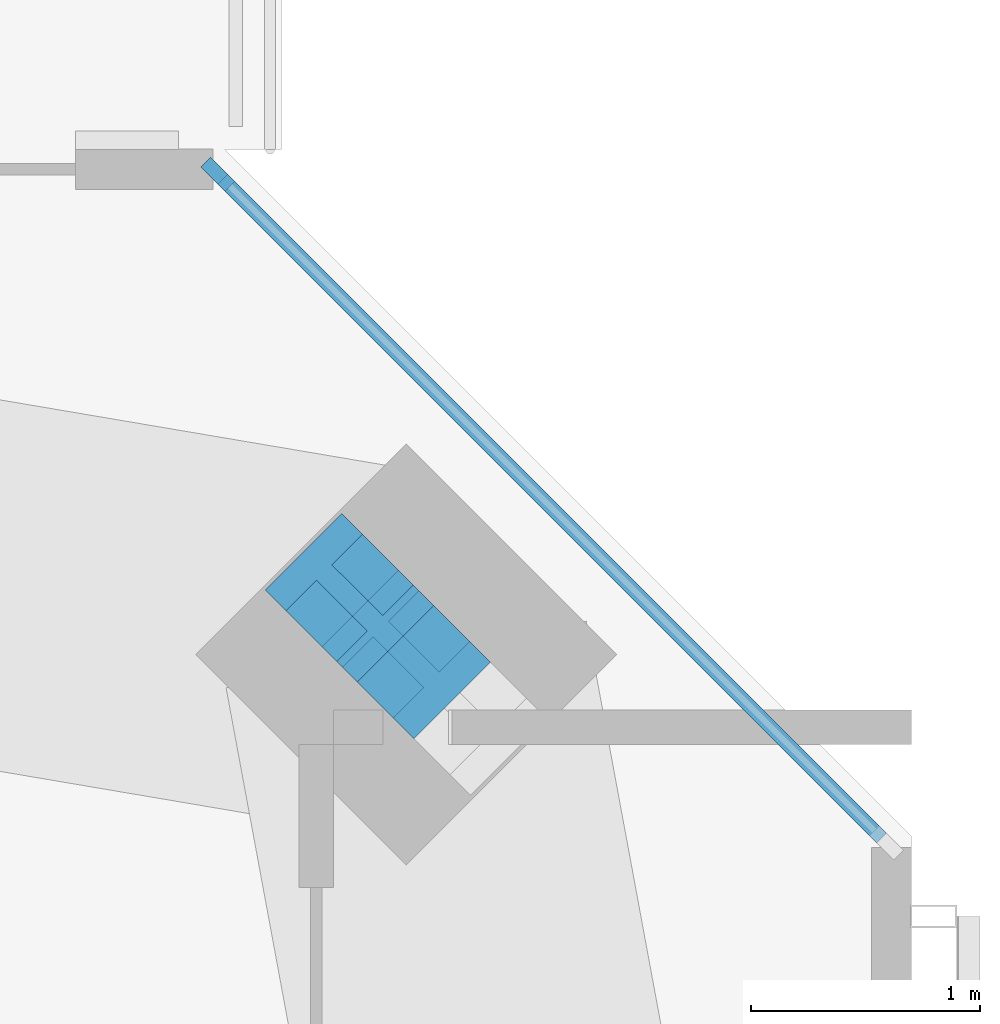
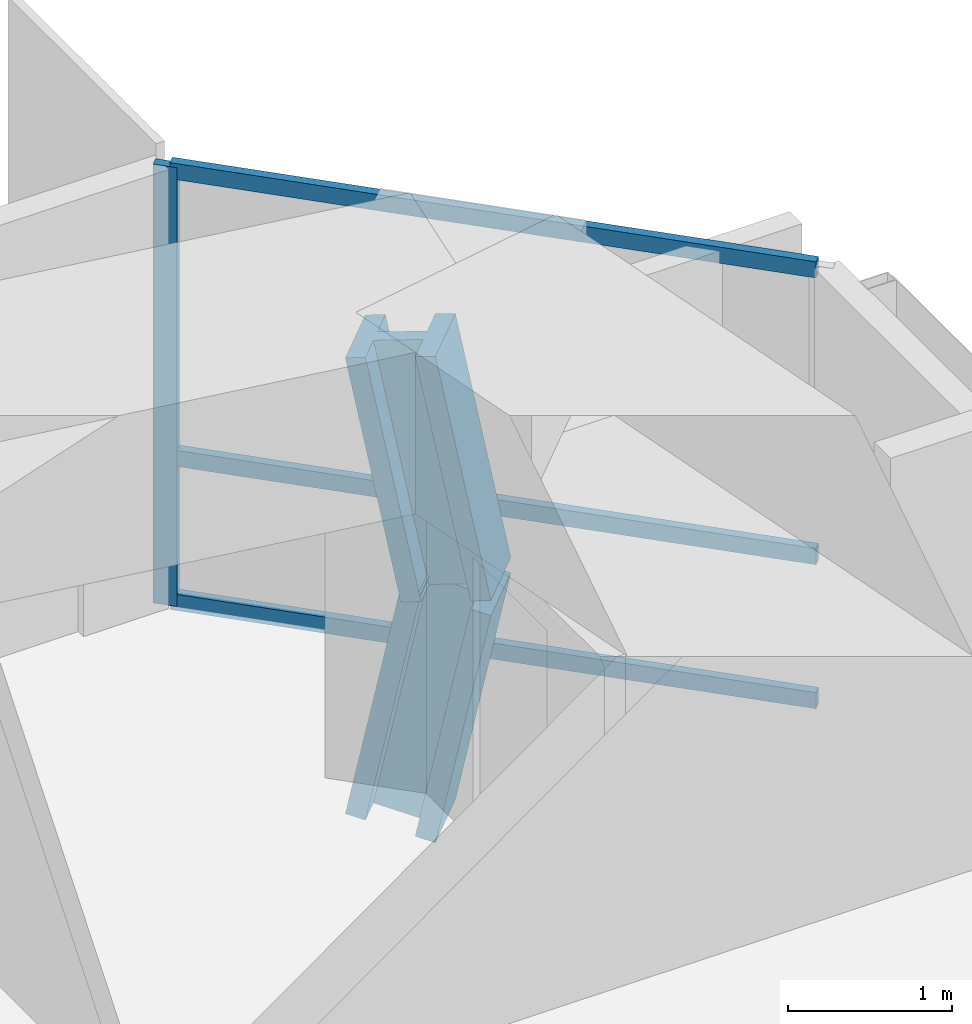
# One storey, part 12 of 20: 6 members, 1 element without a shape of its own.
"""IFC4 building model written with IfcOpenShell, lengths in metres."""

from ifc_helpers import new_model, si_unit, direction, frame, origin, origin_2d, place, context, subcontext, project, spatial, rectangle, i_section, extrude, material, material_profile, profile_set, type_object, element, aggregate, save


model = new_model("IFC4")

# Units and contexts
model_context = context("Model", 3, precision=1e-05, world=origin(), true_north=direction((0.0, 1.0)))
body_context = subcontext(model_context, "Body", "Model", "MODEL_VIEW")
ifc_project = project(units=[si_unit("LENGTHUNIT", "METRE"), si_unit("AREAUNIT", "SQUARE_METRE"), si_unit("VOLUMEUNIT", "CUBIC_METRE"), si_unit("PLANEANGLEUNIT", "RADIAN"), si_unit("MASSUNIT", "GRAM", prefix="KILO")], contexts=[model_context])

# Site, building, storey
site_placement = place(None, origin())
site = spatial("IfcSite", under=ifc_project, at=site_placement, CompositionType="ELEMENT")
building_placement = place(site_placement, origin())
building = spatial("IfcBuilding", under=site, at=building_placement, Name="Jalousie Tower", CompositionType="ELEMENT")
storey_placement = place(building_placement, frame((0.0, 0.0, 245.949951171875)))
storey = spatial("IfcBuildingStorey", under=building, at=storey_placement, Name="L67", CompositionType="ELEMENT", Elevation=245.949951171875)

# Curtain wall, members
ifc_material_1 = material(Name="Aluminium curtain wall", Category="aluminium")
curtain_wall_type = type_object("IfcCurtainWallType", Name="CORNER WINDOW WALL", PredefinedType="USERDEFINED", material=ifc_material_1)
curtain_wall_placement = place(storey_placement, origin())
curtain_wall = element("IfcCurtainWall", 1, at=curtain_wall_placement, inside=storey, type_object=curtain_wall_type, Name="Corner Window Wall L67 4", ObjectType="CORNER WINDOW WALL", PredefinedType="USERDEFINED")
ifc_material_2 = material(Name="Aluminium mullion", Category="aluminium")
ifc_material_profile_1 = material_profile(ifc_material_2, rectangle(XDim=0.06005859375, YDim=0.14990234375, at=origin_2d()), Name="MULLION 60x150")
ifc_profile_set_1 = profile_set([ifc_material_profile_1], Name="Aluminium mullion")
member_type_1 = type_object("IfcMemberType", Name="CORNER WINDOW WALL MULLION", PredefinedType="MULLION", material=ifc_profile_set_1)
member_1_placement = place(storey_placement, frame((53.469970703125, 33.891357421875, 0.0), z_axis=(0.0, 0.0, 1.0), x_axis=(-0.707106781187, -0.707106781187, 0.0)))
member_1 = element("IfcMember", 2, at=member_1_placement, type_object=member_type_1, Name="CW-C mullion 2", PredefinedType="MULLION", context=body_context, shape_type="SweptSolid", body=[
    extrude(rectangle(XDim=0.06005859375, YDim=0.14990234375, at=origin_2d()), origin(), (0.0, 0.0, 1.0), 3.260009765625),
])
ifc_material_3 = material(Name="Aluminium transom", Category="aluminium")
ifc_material_profile_2 = material_profile(ifc_material_3, rectangle(XDim=0.06005859375, YDim=0.1201171875, at=origin_2d()), Name="TRANSOM 60x120")
ifc_profile_set_2 = profile_set([ifc_material_profile_2], Name="Aluminium transom")
member_type_2 = type_object("IfcMemberType", Name="CORNER WINDOW WALL TRANSOM", PredefinedType="USERDEFINED", material=ifc_profile_set_2)
member_2_placement = place(storey_placement, frame((56.3701171875, 30.9912109375, 0.030029296875), z_axis=(-0.707106781187, 0.707106781187, 0.0), x_axis=(-0.707106781187, -0.707106781187, 0.0)))
member_2 = element("IfcMember", 3, at=member_2_placement, type_object=member_type_2, Name="CW-C transom 1.1", ObjectType="TRANSOM", PredefinedType="USERDEFINED", context=body_context, shape_type="SweptSolid", body=[
    extrude(rectangle(XDim=0.06005859375, YDim=0.1201171875, at=origin_2d()), origin(), (0.0, 0.0, 1.0), 4.0712890625),
])
member_3_placement = place(storey_placement, frame((56.3701171875, 30.9912109375, 1.10009765625), z_axis=(-0.707106781187, 0.707106781187, 0.0), x_axis=(-0.707106781187, -0.707106781187, 0.0)))
member_3 = element("IfcMember", 4, at=member_3_placement, type_object=member_type_2, Name="CW-C transom 1.2", ObjectType="TRANSOM", PredefinedType="USERDEFINED", context=body_context, shape_type="SweptSolid", body=[
    extrude(rectangle(XDim=0.06005859375, YDim=0.1201171875, at=origin_2d()), origin(), (0.0, 0.0, 1.0), 4.0712890625),
])
member_4_placement = place(storey_placement, frame((56.3701171875, 30.9912109375, 3.22998046875), z_axis=(-0.707106781187, 0.707106781187, 0.0), x_axis=(-0.707106781187, -0.707106781187, 0.0)))
member_4 = element("IfcMember", 5, at=member_4_placement, type_object=member_type_2, Name="CW-C transom 1.3", ObjectType="TRANSOM", PredefinedType="USERDEFINED", context=body_context, shape_type="SweptSolid", body=[
    extrude(rectangle(XDim=0.06005859375, YDim=0.1201171875, at=origin_2d()), origin(), (0.0, 0.0, 1.0), 4.0712890625),
])
aggregate(curtain_wall, [member_1, member_2, member_3, member_4])

# Members
ifc_material_4 = material(Name="Steel ASTM A992 Grade 50", Category="steel")
ifc_material_profile_3 = material_profile(ifc_material_4, i_section(OverallWidth=0.472412109375, OverallDepth=0.5791015625, WebThickness=0.094970703125, FlangeThickness=0.1298828125, at=origin_2d()), Name="W14X808")
ifc_profile_set_3 = profile_set([ifc_material_profile_3], Name="Steel ASTM A992 Grade 50")
member_type_3 = type_object("IfcMemberType", Name="PERIMETER BRACE W14X808", PredefinedType="BRACE", material=ifc_profile_set_3)
for number, where, z_axis, x_axis, name in (
    (6, (54.29296875, 31.79296875, 1.150146484375), (-0.138716051522, 0.138579250682, 0.980588419435), (-0.706757851183, -0.707455539091, 0.0), "Perimeter brace 08 L67 part 2"),
    (7, (54.04541015625, 32.040283203125, -0.599853515625), (0.138716051522, -0.138579250682, 0.980588419435), (0.706757851183, 0.707455539091, 0.0), "Perimeter brace 08 L67 part 3"),
):
    element("IfcMember", number, at=place(storey_placement, frame(where, z_axis=z_axis, x_axis=x_axis)), inside=storey, type_object=member_type_3, Name=name, PredefinedType="BRACE", context=body_context, shape_type="SweptSolid", body=[
        extrude(i_section(OverallWidth=0.472412109375, OverallDepth=0.5791015625, WebThickness=0.094970703125, FlangeThickness=0.1298828125, at=origin_2d()), origin(), (0.0, 0.0, 1.0), 1.78466796875),
    ])

save(model, "model.ifc")
